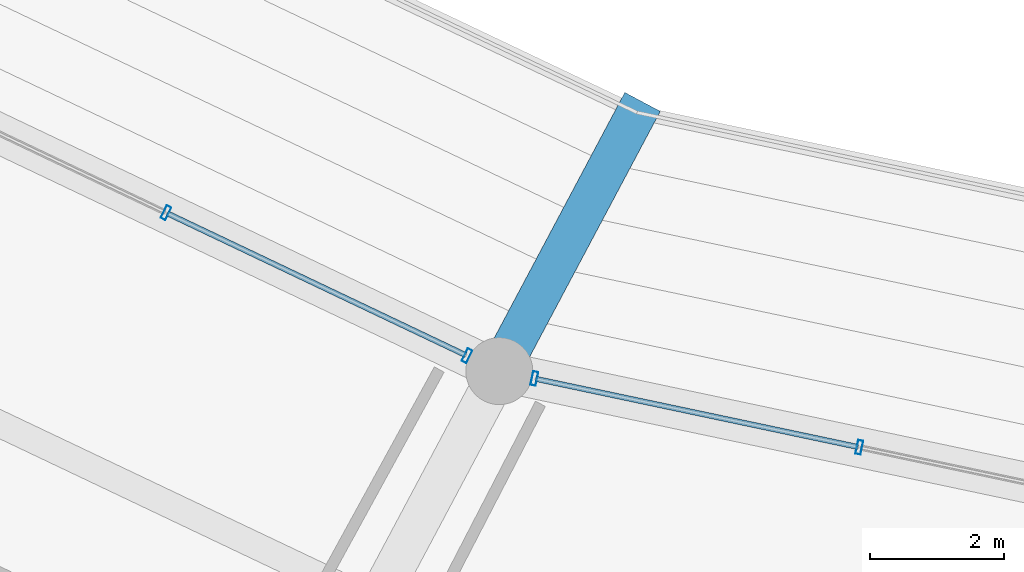
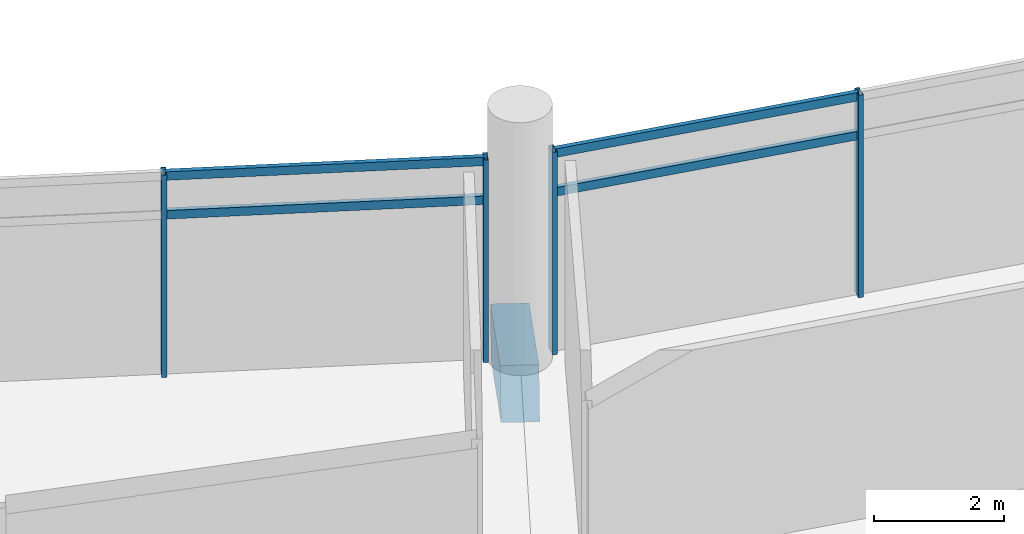
# One storey, part 21 of 171: 8 members, 1 beam, 2 elements without a shape of their own.
"""IFC4 building model written with IfcOpenShell, lengths in metres."""

from ifc_helpers import new_model, si_unit, direction, frame, origin, origin_2d, place, context, subcontext, project, spatial, rectangle, hollow_rectangle, extrude, material, layer, layer_set, material_profile, profile_set, type_object, element, aggregate, save


model = new_model("IFC4")

# Units and contexts
model_context = context("Model", 3, precision=1e-05, world=origin(), true_north=direction((0.0, 1.0)))
body_context = subcontext(model_context, "Body", "Model", "MODEL_VIEW")
ifc_project = project(units=[si_unit("LENGTHUNIT", "METRE"), si_unit("AREAUNIT", "SQUARE_METRE"), si_unit("VOLUMEUNIT", "CUBIC_METRE"), si_unit("PLANEANGLEUNIT", "RADIAN"), si_unit("MASSUNIT", "GRAM", prefix="KILO")], contexts=[model_context])

# Site, building, storey
site_placement = place(None, origin())
site = spatial("IfcSite", under=ifc_project, at=site_placement, CompositionType="ELEMENT")
building_placement = place(site_placement, origin())
building = spatial("IfcBuilding", under=site, at=building_placement, Name="Kazemori Nagisa Stadium", CompositionType="ELEMENT")
storey_placement = place(building_placement, frame((0.0, 0.0, 15.639892578125)))
storey = spatial("IfcBuildingStorey", under=building, at=storey_placement, Name="L03", CompositionType="ELEMENT", Elevation=15.639892578125)

# Beam
ifc_material_1 = material(Name="Concrete C40/50 (Fc42)", Category="concrete")
ifc_material_profile_1 = material_profile(ifc_material_1, rectangle(XDim=0.60009765625, YDim=0.89990234375, at=origin_2d()), Name="RC-RK-600x900")
ifc_profile_set_1 = profile_set([ifc_material_profile_1], Name="Concrete C40/50 (Fc42)")
beam_type = type_object("IfcBeamType", Name="Beam_RK-RC600X900", PredefinedType="USERDEFINED", material=ifc_profile_set_1)
beam_placement = place(storey_placement, frame((93.80712890625, 47.123291015625, -2.58984375), z_axis=(-0.430791222915, -0.809781029767, 0.39833855712), x_axis=(0.882846788925, -0.469661098331, 0.0)))
element("IfcBeam", 1, at=beam_placement, inside=storey, type_object=beam_type, Name="Raker beam club RK2-20", ObjectType="RAKER BEAM", PredefinedType="USERDEFINED", context=body_context, shape_type="SweptSolid", body=[
    extrude(rectangle(XDim=0.60009765625, YDim=0.89990234375, at=origin_2d()), origin(), (0.0, 0.0, 1.0), 4.76953125),
])

# Curtain wall, members
ifc_material_2 = material(Name="Anodised aluminium 6063-T5", Category="aluminium")
ifc_layer = layer(ifc_material_2, 0.2099609375, Name="Anodised aluminium 6063-T5", Category="aluminium")
ifc_layer_set = layer_set([ifc_layer], Name="Anodised aluminium 6063-T5")
curtain_wall_type = type_object("IfcCurtainWallType", Name="CW_L03B_75", PredefinedType="USERDEFINED", material=ifc_layer_set)
curtain_wall_1_placement = place(storey_placement, origin())
curtain_wall_1 = element("IfcCurtainWall", 2, at=curtain_wall_1_placement, inside=storey, type_object=curtain_wall_type, Name="Unitised curtain wall CW-L03B-75 L03", ObjectType="UNITISED CURTAIN WALL", PredefinedType="USERDEFINED")
ifc_material_3 = material(Name="Aluminium 6063-T5 anodised", Category="aluminium")
ifc_material_profile_2 = material_profile(ifc_material_3, hollow_rectangle(XDim=0.080078125, YDim=0.2099609375, WallThickness=0.0048828125, at=origin_2d()), Name="ALU-MULL-80x210x5")
ifc_profile_set_2 = profile_set([ifc_material_profile_2], Name="Aluminium 6063-T5 anodised")
member_type_1 = type_object("IfcMemberType", Name="Mullion_M02", PredefinedType="MULLION", material=ifc_profile_set_2)
member_1_placement = place(storey_placement, frame((86.775146484375, 45.626220703125, 0.0), z_axis=(0.0, 0.0, 1.0), x_axis=(0.903215892654, -0.429186499388, 0.0)))
member_1 = element("IfcMember", 3, at=member_1_placement, type_object=member_type_1, Name="Curtain wall mullion CW-L03B-75-M3", PredefinedType="MULLION", context=body_context, shape_type="SweptSolid", body=[
    extrude(hollow_rectangle(XDim=0.080078125, YDim=0.2099609375, WallThickness=0.0048828125, at=origin_2d()), origin(), (0.0, 0.0, 1.0), 3.81005859375),
])
member_2_placement = place(storey_placement, frame((91.269287109375, 43.49072265625, 0.0), z_axis=(0.0, 0.0, 1.0), x_axis=(0.903215892654, -0.429186499388, 0.0)))
member_2 = element("IfcMember", 4, at=member_2_placement, type_object=member_type_1, Name="Curtain wall mullion CW-L03B-75-M4", PredefinedType="MULLION", context=body_context, shape_type="SweptSolid", body=[
    extrude(hollow_rectangle(XDim=0.080078125, YDim=0.2099609375, WallThickness=0.0048828125, at=origin_2d()), origin(), (0.0, 0.0, 1.0), 3.81005859375),
])

curtain_wall_2_placement = place(storey_placement, origin())
curtain_wall_2 = element("IfcCurtainWall", 5, at=curtain_wall_2_placement, inside=storey, type_object=curtain_wall_type, Name="Unitised curtain wall CW-L03B-75 L03", ObjectType="UNITISED CURTAIN WALL", PredefinedType="USERDEFINED")
member_3_placement = place(storey_placement, frame((92.27587890625, 43.150390625, 0.0), z_axis=(0.0, 0.0, 1.0), x_axis=(0.978344955407, -0.206981033502, 0.0)))
member_3 = element("IfcMember", 6, at=member_3_placement, type_object=member_type_1, Name="Curtain wall mullion CW-L03B-75-M1", PredefinedType="MULLION", context=body_context, shape_type="SweptSolid", body=[
    extrude(hollow_rectangle(XDim=0.080078125, YDim=0.2099609375, WallThickness=0.0048828125, at=origin_2d()), origin(), (0.0, 0.0, 1.0), 3.81005859375),
])
member_4_placement = place(storey_placement, frame((97.128662109375, 42.123779296875, 0.0), z_axis=(0.0, 0.0, 1.0), x_axis=(0.978344955407, -0.206981033502, 0.0)))
member_4 = element("IfcMember", 7, at=member_4_placement, type_object=member_type_1, Name="Curtain wall mullion CW-L03B-75-M2", PredefinedType="MULLION", context=body_context, shape_type="SweptSolid", body=[
    extrude(hollow_rectangle(XDim=0.080078125, YDim=0.2099609375, WallThickness=0.0048828125, at=origin_2d()), origin(), (0.0, 0.0, 1.0), 3.81005859375),
])

# Member
ifc_material_profile_3 = material_profile(ifc_material_3, hollow_rectangle(XDim=0.080078125, YDim=0.159912109375, WallThickness=0.00390625, at=origin_2d()), Name="ALU-TRAN-80x160x4")
ifc_profile_set_3 = profile_set([ifc_material_profile_3], Name="Aluminium 6063-T5 anodised")
member_type_2 = type_object("IfcMemberType", Name="Transom_T02", PredefinedType="USERDEFINED", material=ifc_profile_set_3)
member_5_placement = place(storey_placement, frame((86.793212890625, 45.61767578125, 3.010009765625), z_axis=(0.903210397994, -0.429198062618, 0.0), x_axis=(0.429198062618, 0.903210397994, 0.0)))
member_5 = element("IfcMember", 8, at=member_5_placement, type_object=member_type_2, Name="Curtain wall transom CW-L03B-75-T3-mid", ObjectType="TRANSOM", PredefinedType="USERDEFINED", context=body_context, shape_type="SweptSolid", body=[
    extrude(hollow_rectangle(XDim=0.080078125, YDim=0.159912109375, WallThickness=0.00390625, at=origin_2d()), origin(), (0.0, 0.0, 1.0), 4.935791015625),
])

member_6_placement = place(storey_placement, frame((86.793212890625, 45.61767578125, 3.739990234375), z_axis=(0.903210397994, -0.429198062618, 0.0), x_axis=(0.429198062618, 0.903210397994, 0.0)))
member_6 = element("IfcMember", 9, at=member_6_placement, type_object=member_type_2, Name="Curtain wall transom CW-L03B-75-T3-head", ObjectType="TRANSOM", PredefinedType="USERDEFINED", context=body_context, shape_type="SweptSolid", body=[
    extrude(hollow_rectangle(XDim=0.080078125, YDim=0.159912109375, WallThickness=0.00390625, at=origin_2d()), origin(), (0.0, 0.0, 1.0), 4.935791015625),
])

aggregate(curtain_wall_1, [member_1, member_2, member_5, member_6])

member_7_placement = place(storey_placement, frame((92.29541015625, 43.146240234375, 3.010009765625), z_axis=(0.978348737064, -0.206963157798, 0.0), x_axis=(0.206963157798, 0.978348737064, 0.0)))
member_7 = element("IfcMember", 10, at=member_7_placement, type_object=member_type_2, Name="Curtain wall transom CW-L03B-75-T1-mid", ObjectType="TRANSOM", PredefinedType="USERDEFINED", context=body_context, shape_type="SweptSolid", body=[
    extrude(hollow_rectangle(XDim=0.080078125, YDim=0.159912109375, WallThickness=0.00390625, at=origin_2d()), origin(), (0.0, 0.0, 1.0), 4.920166015625),
])

member_8_placement = place(storey_placement, frame((92.29541015625, 43.146240234375, 3.739990234375), z_axis=(0.978348737064, -0.206963157798, 0.0), x_axis=(0.206963157798, 0.978348737064, 0.0)))
member_8 = element("IfcMember", 11, at=member_8_placement, type_object=member_type_2, Name="Curtain wall transom CW-L03B-75-T1-head", ObjectType="TRANSOM", PredefinedType="USERDEFINED", context=body_context, shape_type="SweptSolid", body=[
    extrude(hollow_rectangle(XDim=0.080078125, YDim=0.159912109375, WallThickness=0.00390625, at=origin_2d()), origin(), (0.0, 0.0, 1.0), 4.920166015625),
])

aggregate(curtain_wall_2, [member_3, member_4, member_7, member_8])

save(model, "model.ifc")
